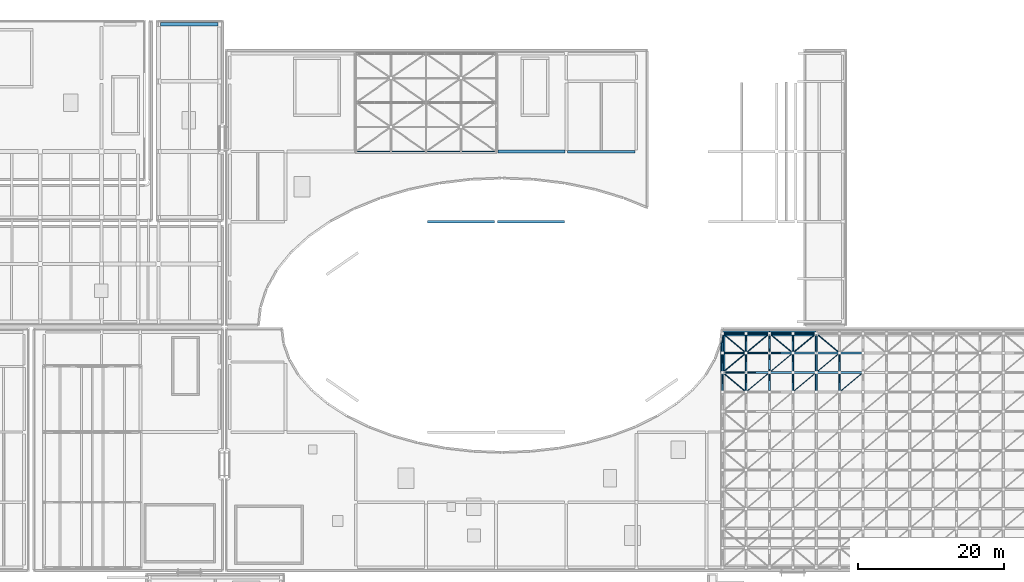
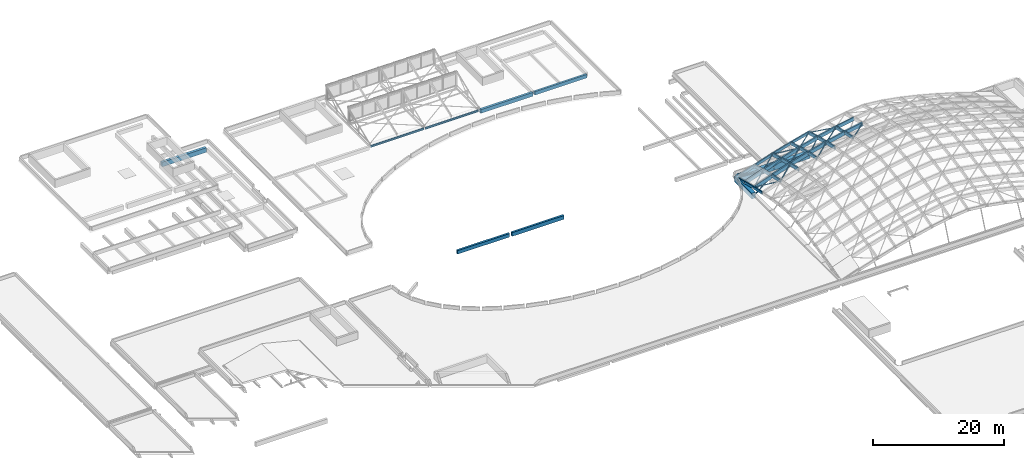
# One storey, part 13 of 40: 48 members, 10 beams.
"""IFC4 building model written with IfcOpenShell, lengths in metres."""

from ifc_helpers import new_model, si_unit, direction, frame, origin, origin_2d, place, context, subcontext, project, spatial, rectangle, hollow_circle, i_section, extrude, material, material_profile, profile_set, type_object, element, save


model = new_model("IFC4")

# Units and contexts
model_context = context("Model", 3, precision=1e-05, world=origin(), true_north=direction((0.0, 1.0)))
body_context = subcontext(model_context, "Body", "Model", "MODEL_VIEW")
ifc_project = project(units=[si_unit("LENGTHUNIT", "METRE"), si_unit("AREAUNIT", "SQUARE_METRE"), si_unit("VOLUMEUNIT", "CUBIC_METRE"), si_unit("PLANEANGLEUNIT", "RADIAN"), si_unit("MASSUNIT", "GRAM", prefix="KILO")], contexts=[model_context])

# Site, building, storey
site_placement = place(None, origin())
site = spatial("IfcSite", under=ifc_project, at=site_placement, CompositionType="ELEMENT")
building_placement = place(site_placement, origin())
building = spatial("IfcBuilding", under=site, at=building_placement, Name="Mzevani Central Library", CompositionType="ELEMENT")
storey_placement = place(building_placement, frame((0.0, 0.0, 26.699951171875)))
storey = spatial("IfcBuildingStorey", under=building, at=storey_placement, Name="RF", CompositionType="ELEMENT", Elevation=26.699951171875)

# Beams
ifc_material_1 = material(Name="Concrete C35/45", Category="concrete")
ifc_material_profile_1 = material_profile(ifc_material_1, rectangle(XDim=0.35009765625, YDim=0.64990234375, at=origin_2d()), Name="RC B350x650")
ifc_profile_set_1 = profile_set([ifc_material_profile_1], Name="Concrete C35/45")
beam_type_1 = type_object("IfcBeamType", Name="Beam RC 350x650", PredefinedType="BEAM", material=ifc_profile_set_1)
beam_1_placement = place(storey_placement, frame((73.77490234375, 90.39990234375, -21.885009765625), z_axis=(1.0, 0.0, 0.0), x_axis=(0.0, 1.0, 0.0)))
element("IfcBeam", 1, at=beam_1_placement, inside=storey, type_object=beam_type_1, Name="RF V3 Girder B-05 (456)", PredefinedType="BEAM", context=body_context, shape_type="SweptSolid", body=[
    extrude(rectangle(XDim=0.35009765625, YDim=0.64990234375, at=origin_2d()), origin(), (0.0, 0.0, 1.0), 9.22509765625),
])
beam_2_placement = place(storey_placement, frame((92.97509765625, 100.0, -4.784912109375), z_axis=(1.0, 0.0, 0.0), x_axis=(0.0, 1.0, 0.0)))
element("IfcBeam", 2, at=beam_2_placement, inside=storey, type_object=beam_type_1, Name="RF V3 Girder B-05 (768)", PredefinedType="BEAM", context=body_context, shape_type="SweptSolid", body=[
    extrude(rectangle(XDim=0.35009765625, YDim=0.64990234375, at=origin_2d()), origin(), (0.0, 0.0, 1.0), 9.224853515625),
])
ifc_material_profile_2 = material_profile(ifc_material_1, rectangle(XDim=0.35009765625, YDim=0.699951171875, at=origin_2d()), Name="RC B350x700")
ifc_profile_set_2 = profile_set([ifc_material_profile_2], Name="Concrete C35/45")
beam_type_2 = type_object("IfcBeamType", Name="Beam RC 350x700", PredefinedType="BEAM", material=ifc_profile_set_2)
beam_3_placement = place(storey_placement, frame((83.39990234375, 90.39990234375, -21.909912109375), z_axis=(1.0, 0.0, 0.0), x_axis=(0.0, 1.0, 0.0)))
element("IfcBeam", 3, at=beam_3_placement, inside=storey, type_object=beam_type_2, Name="RF V3 Girder B-06 (457)", PredefinedType="BEAM", context=body_context, shape_type="SweptSolid", body=[
    extrude(rectangle(XDim=0.35009765625, YDim=0.699951171875, at=origin_2d()), origin(), (0.0, 0.0, 1.0), 9.175048828125),
])
ifc_material_profile_3 = material_profile(ifc_material_1, rectangle(XDim=0.39990234375, YDim=0.699951171875, at=origin_2d()), Name="RC B400x700")
ifc_profile_set_3 = profile_set([ifc_material_profile_3], Name="Concrete C35/45")
beam_type_3 = type_object("IfcBeamType", Name="Beam RC 400x700", PredefinedType="BEAM", material=ifc_profile_set_3)
beam_4_placement = place(storey_placement, frame((83.425048828125, 100.0, -4.81005859375), z_axis=(1.0, 0.0, 0.0), x_axis=(0.0, 1.0, 0.0)))
element("IfcBeam", 4, at=beam_4_placement, inside=storey, type_object=beam_type_3, Name="RF V3 Girder B-08 (767)", PredefinedType="BEAM", context=body_context, shape_type="SweptSolid", body=[
    extrude(rectangle(XDim=0.39990234375, YDim=0.699951171875, at=origin_2d()), origin(), (0.0, 0.0, 1.0), 9.199951171875),
])

# Members
ifc_material_2 = material(Name="Steel S355J2", Category="steel")
ifc_material_profile_4 = material_profile(ifc_material_2, hollow_circle(Radius=0.096923828125, WallThickness=0.010009765625, at=origin_2d()), Name="CHS 193.7x10.0")
ifc_profile_set_4 = profile_set([ifc_material_profile_4], Name="Steel S355J2")
member_type_1 = type_object("IfcMemberType", Name="Gridshell Corner Raker CHS 193.7", PredefinedType="BRACE", material=ifc_profile_set_4)
member_1_placement = place(storey_placement, frame((120.60009765625, 74.949951171875, -12.949951171875), z_axis=(0.0, -0.657289394551, 0.753638276503), x_axis=(1.0, 0.0, 0.0)))
element("IfcMember", 5, at=member_1_placement, inside=storey, type_object=member_type_1, Name="RF Gridshell North Springing Raker 1", PredefinedType="BRACE", context=body_context, shape_type="SweptSolid", body=[
    extrude(hollow_circle(Radius=0.096923828125, WallThickness=0.010009765625, at=origin_2d()), origin(), (0.0, 0.0, 1.0), 3.828857421875),
])
member_2_placement = place(storey_placement, frame((127.0, 74.949951171875, -12.949951171875), z_axis=(0.0, -0.473264552531, 0.880920350156), x_axis=(1.0, 0.0, 0.0)))
element("IfcMember", 6, at=member_2_placement, inside=storey, type_object=member_type_1, Name="RF Gridshell North Springing Raker 2", PredefinedType="BRACE", context=body_context, shape_type="SweptSolid", body=[
    extrude(hollow_circle(Radius=0.096923828125, WallThickness=0.010009765625, at=origin_2d()), origin(), (0.0, 0.0, 1.0), 5.317626953125),
])
member_3_placement = place(storey_placement, frame((114.35009765625, 69.7666015625, -12.949951171875), z_axis=(0.77037029705, 0.0, 0.637596742011), x_axis=(0.0, 1.0, 0.0)))
element("IfcMember", 7, at=member_3_placement, inside=storey, type_object=member_type_1, Name="RF Gridshell West Springing Raker 5", PredefinedType="BRACE", context=body_context, shape_type="SweptSolid", body=[
    extrude(hollow_circle(Radius=0.096923828125, WallThickness=0.010009765625, at=origin_2d()), origin(), (0.0, 0.0, 1.0), 3.958984375),
])
ifc_material_profile_5 = material_profile(ifc_material_2, hollow_circle(Radius=0.05712890625, WallThickness=0.00634765625, at=origin_2d()), Name="CHS 114.3x6.3")
ifc_profile_set_5 = profile_set([ifc_material_profile_5], Name="Steel S355J2")
member_type_2 = type_object("IfcMemberType", Name="Gridshell Diagonal Brace CHS 114.3", PredefinedType="BRACE", material=ifc_profile_set_5)
member_4_placement = place(storey_placement, frame((117.39990234375, 67.10009765625, -9.799560546875), z_axis=(0.764121952186, 0.636690567728, 0.103647301723), x_axis=(-0.640138279177, 0.768259710991, 0.0)))
element("IfcMember", 8, at=member_4_placement, inside=storey, type_object=member_type_2, Name="RF Gridshell Steel Diagonal 2.10", PredefinedType="BRACE", context=body_context, shape_type="SweptSolid", body=[
    extrude(hollow_circle(Radius=0.05712890625, WallThickness=0.00634765625, at=origin_2d()), origin(), (0.0, 0.0, 1.0), 4.18798828125),
])
member_5_placement = place(storey_placement, frame((120.60009765625, 69.7666015625, -9.365478515625), z_axis=(0.76658338432, 0.638848730215, 0.064978571754), x_axis=(-0.640201694382, 0.768206867003, 0.0)))
element("IfcMember", 9, at=member_5_placement, inside=storey, type_object=member_type_2, Name="RF Gridshell Steel Diagonal 3.11", PredefinedType="BRACE", context=body_context, shape_type="SweptSolid", body=[
    extrude(hollow_circle(Radius=0.05712890625, WallThickness=0.00634765625, at=origin_2d()), origin(), (0.0, 0.0, 1.0), 4.17431640625),
])
member_6_placement = place(storey_placement, frame((123.800048828125, 67.10009765625, -7.808837890625), z_axis=(0.76694039125, 0.639087735808, 0.058045690709), x_axis=(-0.640167103973, 0.768235692344, 0.0)))
element("IfcMember", 10, at=member_6_placement, inside=storey, type_object=member_type_2, Name="RF Gridshell Steel Diagonal 4.10", PredefinedType="BRACE", context=body_context, shape_type="SweptSolid", body=[
    extrude(hollow_circle(Radius=0.05712890625, WallThickness=0.00634765625, at=origin_2d()), origin(), (0.0, 0.0, 1.0), 4.17236328125),
])
member_7_placement = place(storey_placement, frame((127.0, 69.7666015625, -7.566650390625), z_axis=(0.768152498931, 0.640156385582, 0.011897074638), x_axis=(-0.640201694382, 0.768206867003, 0.0)))
element("IfcMember", 11, at=member_7_placement, inside=storey, type_object=member_type_2, Name="RF Gridshell Steel Diagonal 5.11", PredefinedType="BRACE", context=body_context, shape_type="SweptSolid", body=[
    extrude(hollow_circle(Radius=0.05712890625, WallThickness=0.00634765625, at=origin_2d()), origin(), (0.0, 0.0, 1.0), 4.165771484375),
])
member_8_placement = place(storey_placement, frame((130.199951171875, 67.10009765625, -6.231689453125), z_axis=(0.768217005974, 0.640151532712, -0.006974732869), x_axis=(-0.640167103973, 0.768235692344, 0.0)))
element("IfcMember", 12, at=member_8_placement, inside=storey, type_object=member_type_2, Name="RF Gridshell Steel Diagonal 6.10", PredefinedType="BRACE", context=body_context, shape_type="SweptSolid", body=[
    extrude(hollow_circle(Radius=0.05712890625, WallThickness=0.00634765625, at=origin_2d()), origin(), (0.0, 0.0, 1.0), 4.16552734375),
])
ifc_material_3 = material(Name="Glulam GL28h", Category="wood")
ifc_material_profile_6 = material_profile(ifc_material_3, rectangle(XDim=0.199951171875, YDim=0.47998046875, at=origin_2d()), Name="GL28h 200x480")
ifc_profile_set_6 = profile_set([ifc_material_profile_6], Name="Glulam GL28h")
member_type_3 = type_object("IfcMemberType", Name="Gridshell Edge Rib GL28h 200x480", PredefinedType="RAFTER", material=ifc_profile_set_6)
member_9_placement = place(storey_placement, frame((114.199951171875, 75.10009765625, -12.919921875), z_axis=(0.943711214964, 0.0, 0.330770528843), x_axis=(0.0, 1.0, 0.0)))
element("IfcMember", 13, at=member_9_placement, inside=storey, type_object=member_type_3, Name="RF Gridshell Glulam Arch Rib X13.1", PredefinedType="RAFTER", context=body_context, shape_type="SweptSolid", body=[
    extrude(rectangle(XDim=0.199951171875, YDim=0.47998046875, at=origin_2d()), origin(), (0.0, 0.0, 1.0), 3.390869140625),
])
member_10_placement = place(storey_placement, frame((117.39990234375, 75.10009765625, -11.79833984375), z_axis=(0.950993540483, 0.0, 0.309210746837), x_axis=(0.0, 1.0, 0.0)))
element("IfcMember", 14, at=member_10_placement, inside=storey, type_object=member_type_3, Name="RF Gridshell Glulam Arch Rib X13.2", PredefinedType="RAFTER", context=body_context, shape_type="SweptSolid", body=[
    extrude(rectangle(XDim=0.199951171875, YDim=0.47998046875, at=origin_2d()), origin(), (0.0, 0.0, 1.0), 3.364990234375),
])
member_11_placement = place(storey_placement, frame((120.60009765625, 75.10009765625, -10.7578125), z_axis=(0.958629716231, 0.0, 0.284656050627), x_axis=(0.0, 1.0, 0.0)))
element("IfcMember", 15, at=member_11_placement, inside=storey, type_object=member_type_3, Name="RF Gridshell Glulam Arch Rib X13.3", PredefinedType="RAFTER", context=body_context, shape_type="SweptSolid", body=[
    extrude(rectangle(XDim=0.199951171875, YDim=0.47998046875, at=origin_2d()), origin(), (0.0, 0.0, 1.0), 3.338134765625),
])
member_12_placement = place(storey_placement, frame((123.800048828125, 75.10009765625, -9.8076171875), z_axis=(0.966604816788, 0.0, 0.256271590626), x_axis=(0.0, 1.0, 0.0)))
element("IfcMember", 16, at=member_12_placement, inside=storey, type_object=member_type_3, Name="RF Gridshell Glulam Arch Rib X13.4", PredefinedType="RAFTER", context=body_context, shape_type="SweptSolid", body=[
    extrude(rectangle(XDim=0.199951171875, YDim=0.47998046875, at=origin_2d()), origin(), (0.0, 0.0, 1.0), 3.310546875),
])
member_13_placement = place(storey_placement, frame((114.199951171875, 67.10009765625, -10.89111328125), z_axis=(0.0, 0.975099518813, -0.22176773528), x_axis=(-1.0, 0.0, 0.0)))
element("IfcMember", 17, at=member_13_placement, inside=storey, type_object=member_type_3, Name="RF Gridshell Glulam Transverse Rib Y1.10", PredefinedType="RAFTER", context=body_context, shape_type="SweptSolid", body=[
    extrude(rectangle(XDim=0.199951171875, YDim=0.47998046875, at=origin_2d()), origin(), (0.0, 0.0, 1.0), 2.734619140625),
])
member_14_placement = place(storey_placement, frame((114.199951171875, 69.7666015625, -11.49755859375), z_axis=(0.0, 0.969084447248, -0.246729272892), x_axis=(-1.0, 0.0, 0.0)))
element("IfcMember", 18, at=member_14_placement, inside=storey, type_object=member_type_3, Name="RF Gridshell Glulam Transverse Rib Y1.11", PredefinedType="RAFTER", context=body_context, shape_type="SweptSolid", body=[
    extrude(rectangle(XDim=0.199951171875, YDim=0.47998046875, at=origin_2d()), origin(), (0.0, 0.0, 1.0), 2.751708984375),
])
member_15_placement = place(storey_placement, frame((114.199951171875, 72.433349609375, -12.176513671875), z_axis=(0.0, 0.963271132564, -0.268530678262), x_axis=(-1.0, 0.0, 0.0)))
element("IfcMember", 19, at=member_15_placement, inside=storey, type_object=member_type_3, Name="RF Gridshell Glulam Transverse Rib Y1.12", PredefinedType="RAFTER", context=body_context, shape_type="SweptSolid", body=[
    extrude(rectangle(XDim=0.199951171875, YDim=0.47998046875, at=origin_2d()), origin(), (0.0, 0.0, 1.0), 2.768310546875),
])
ifc_material_profile_7 = material_profile(ifc_material_3, rectangle(XDim=0.239990234375, YDim=0.6201171875, at=origin_2d()), Name="GL28h 240x620")
ifc_profile_set_7 = profile_set([ifc_material_profile_7], Name="Glulam GL28h")
member_type_4 = type_object("IfcMemberType", Name="Gridshell Primary Rib GL28h 240x620", PredefinedType="RAFTER", material=ifc_profile_set_7)
member_16_placement = place(storey_placement, frame((114.199951171875, 72.433349609375, -12.24658203125), z_axis=(0.943711214964, 0.0, 0.330770528843), x_axis=(0.0, 1.0, 0.0)))
element("IfcMember", 20, at=member_16_placement, inside=storey, type_object=member_type_4, Name="RF Gridshell Glulam Arch Rib X12.1", PredefinedType="RAFTER", context=body_context, shape_type="SweptSolid", body=[
    extrude(rectangle(XDim=0.239990234375, YDim=0.6201171875, at=origin_2d()), origin(), (0.0, 0.0, 1.0), 3.390869140625),
])
member_17_placement = place(storey_placement, frame((117.39990234375, 72.433349609375, -11.125), z_axis=(0.950993540483, 0.0, 0.309210746837), x_axis=(0.0, 1.0, 0.0)))
element("IfcMember", 21, at=member_17_placement, inside=storey, type_object=member_type_4, Name="RF Gridshell Glulam Arch Rib X12.2", PredefinedType="RAFTER", context=body_context, shape_type="SweptSolid", body=[
    extrude(rectangle(XDim=0.239990234375, YDim=0.6201171875, at=origin_2d()), origin(), (0.0, 0.0, 1.0), 3.364990234375),
])
member_18_placement = place(storey_placement, frame((120.60009765625, 72.433349609375, -10.08447265625), z_axis=(0.958629716231, 0.0, 0.284656050627), x_axis=(0.0, 1.0, 0.0)))
element("IfcMember", 22, at=member_18_placement, inside=storey, type_object=member_type_4, Name="RF Gridshell Glulam Arch Rib X12.3", PredefinedType="RAFTER", context=body_context, shape_type="SweptSolid", body=[
    extrude(rectangle(XDim=0.239990234375, YDim=0.6201171875, at=origin_2d()), origin(), (0.0, 0.0, 1.0), 3.338134765625),
])
member_19_placement = place(storey_placement, frame((123.800048828125, 72.433349609375, -9.13427734375), z_axis=(0.966586546506, 0.0, 0.256340492535), x_axis=(0.0, 1.0, 0.0)))
element("IfcMember", 23, at=member_19_placement, inside=storey, type_object=member_type_4, Name="RF Gridshell Glulam Arch Rib X12.4", PredefinedType="RAFTER", context=body_context, shape_type="SweptSolid", body=[
    extrude(rectangle(XDim=0.239990234375, YDim=0.6201171875, at=origin_2d()), origin(), (0.0, 0.0, 1.0), 3.310546875),
])
member_20_placement = place(storey_placement, frame((127.0, 72.433349609375, -8.28564453125), z_axis=(0.975050212006, 0.0, 0.221984423028), x_axis=(0.0, 1.0, 0.0)))
element("IfcMember", 24, at=member_20_placement, inside=storey, type_object=member_type_4, Name="RF Gridshell Glulam Arch Rib X12.5", PredefinedType="RAFTER", context=body_context, shape_type="SweptSolid", body=[
    extrude(rectangle(XDim=0.239990234375, YDim=0.6201171875, at=origin_2d()), origin(), (0.0, 0.0, 1.0), 3.28173828125),
])
member_21_placement = place(storey_placement, frame((130.199951171875, 72.433349609375, -7.55712890625), z_axis=(0.984108094626, 0.0, 0.177570431357), x_axis=(0.0, 1.0, 0.0)))
element("IfcMember", 25, at=member_21_placement, inside=storey, type_object=member_type_4, Name="RF Gridshell Glulam Arch Rib X12.6", PredefinedType="RAFTER", context=body_context, shape_type="SweptSolid", body=[
    extrude(rectangle(XDim=0.239990234375, YDim=0.6201171875, at=origin_2d()), origin(), (0.0, 0.0, 1.0), 3.251708984375),
])
ifc_material_profile_8 = material_profile(ifc_material_3, rectangle(XDim=0.239990234375, YDim=0.679931640625, at=origin_2d()), Name="GL28h 240x680")
ifc_profile_set_8 = profile_set([ifc_material_profile_8], Name="Glulam GL28h")
member_type_5 = type_object("IfcMemberType", Name="Gridshell Primary Rib GL28h 240x680", PredefinedType="RAFTER", material=ifc_profile_set_8)
member_22_placement = place(storey_placement, frame((114.199951171875, 69.7666015625, -11.597412109375), z_axis=(0.943711214964, 0.0, 0.330770528843), x_axis=(0.0, 1.0, 0.0)))
element("IfcMember", 26, at=member_22_placement, inside=storey, type_object=member_type_5, Name="RF Gridshell Glulam Arch Rib X11.1", PredefinedType="RAFTER", context=body_context, shape_type="SweptSolid", body=[
    extrude(rectangle(XDim=0.239990234375, YDim=0.679931640625, at=origin_2d()), origin(), (0.0, 0.0, 1.0), 3.390869140625),
])
member_23_placement = place(storey_placement, frame((117.39990234375, 69.7666015625, -10.475830078125), z_axis=(0.951014872747, 0.0, 0.309145130666), x_axis=(0.0, 1.0, 0.0)))
element("IfcMember", 27, at=member_23_placement, inside=storey, type_object=member_type_5, Name="RF Gridshell Glulam Arch Rib X11.2", PredefinedType="RAFTER", context=body_context, shape_type="SweptSolid", body=[
    extrude(rectangle(XDim=0.239990234375, YDim=0.679931640625, at=origin_2d()), origin(), (0.0, 0.0, 1.0), 3.364990234375),
])
member_24_placement = place(storey_placement, frame((120.60009765625, 69.7666015625, -9.435546875), z_axis=(0.958609756204, 0.0, 0.284723260922), x_axis=(0.0, 1.0, 0.0)))
element("IfcMember", 28, at=member_24_placement, inside=storey, type_object=member_type_5, Name="RF Gridshell Glulam Arch Rib X11.3", PredefinedType="RAFTER", context=body_context, shape_type="SweptSolid", body=[
    extrude(rectangle(XDim=0.239990234375, YDim=0.679931640625, at=origin_2d()), origin(), (0.0, 0.0, 1.0), 3.338134765625),
])
member_25_placement = place(storey_placement, frame((123.800048828125, 69.7666015625, -8.485107421875), z_axis=(0.966604816788, 0.0, 0.256271590626), x_axis=(0.0, 1.0, 0.0)))
element("IfcMember", 29, at=member_25_placement, inside=storey, type_object=member_type_5, Name="RF Gridshell Glulam Arch Rib X11.4", PredefinedType="RAFTER", context=body_context, shape_type="SweptSolid", body=[
    extrude(rectangle(XDim=0.239990234375, YDim=0.679931640625, at=origin_2d()), origin(), (0.0, 0.0, 1.0), 3.310546875),
])
member_26_placement = place(storey_placement, frame((127.0, 69.7666015625, -7.63671875), z_axis=(0.975034107954, 0.0, 0.222055147039), x_axis=(0.0, 1.0, 0.0)))
element("IfcMember", 30, at=member_26_placement, inside=storey, type_object=member_type_5, Name="RF Gridshell Glulam Arch Rib X11.5", PredefinedType="RAFTER", context=body_context, shape_type="SweptSolid", body=[
    extrude(rectangle(XDim=0.239990234375, YDim=0.679931640625, at=origin_2d()), origin(), (0.0, 0.0, 1.0), 3.281982421875),
])
member_27_placement = place(storey_placement, frame((130.199951171875, 69.7666015625, -6.907958984375), z_axis=(0.984121212692, 0.0, 0.177497714718), x_axis=(0.0, 1.0, 0.0)))
element("IfcMember", 31, at=member_27_placement, inside=storey, type_object=member_type_5, Name="RF Gridshell Glulam Arch Rib X11.6", PredefinedType="RAFTER", context=body_context, shape_type="SweptSolid", body=[
    extrude(rectangle(XDim=0.239990234375, YDim=0.679931640625, at=origin_2d()), origin(), (0.0, 0.0, 1.0), 3.25146484375),
])

# Beams
ifc_material_4 = material(Name="Concrete C40/50", Category="concrete")
ifc_material_profile_9 = material_profile(ifc_material_4, rectangle(XDim=0.64990234375, YDim=1.050048828125, at=origin_2d()), Name="RC RB650x1050")
ifc_profile_set_9 = profile_set([ifc_material_profile_9], Name="Concrete C40/50")
beam_type_4 = type_object("IfcBeamType", Name="Gridshell Ring Beam RC 650x1050", PredefinedType="BEAM", material=ifc_profile_set_9)
beam_5_placement = place(storey_placement, frame((114.199951171875, 69.7666015625, -13.02490234375), z_axis=(0.0, 1.0, 0.0), x_axis=(-1.0, 0.0, 0.0)))
element("IfcBeam", 32, at=beam_5_placement, inside=storey, type_object=beam_type_4, Name="RF Gridshell Ring Beam West Bay 6", PredefinedType="BEAM", context=body_context, shape_type="SweptSolid", body=[
    extrude(rectangle(XDim=0.64990234375, YDim=1.050048828125, at=origin_2d()), origin(), (0.0, 0.0, 1.0), 5.33349609375),
])
ifc_material_profile_10 = material_profile(ifc_material_4, rectangle(XDim=0.699951171875, YDim=1.10009765625, at=origin_2d()), Name="RC RB700x1100")
ifc_profile_set_10 = profile_set([ifc_material_profile_10], Name="Concrete C40/50")
beam_type_5 = type_object("IfcBeamType", Name="Gridshell Ring Beam RC 700x1100", PredefinedType="BEAM", material=ifc_profile_set_10)
beam_6_placement = place(storey_placement, frame((114.199951171875, 75.10009765625, -13.050048828125), z_axis=(1.0, 0.0, 0.0), x_axis=(0.0, 1.0, 0.0)))
element("IfcBeam", 33, at=beam_6_placement, inside=storey, type_object=beam_type_5, Name="RF Gridshell Ring Beam North Bay 1", PredefinedType="BEAM", context=body_context, shape_type="SweptSolid", body=[
    extrude(rectangle(XDim=0.699951171875, YDim=1.10009765625, at=origin_2d()), origin(), (0.0, 0.0, 1.0), 6.400146484375),
])
beam_7_placement = place(storey_placement, frame((120.60009765625, 75.10009765625, -13.050048828125), z_axis=(1.0, 0.0, 0.0), x_axis=(0.0, 1.0, 0.0)))
element("IfcBeam", 34, at=beam_7_placement, inside=storey, type_object=beam_type_5, Name="RF Gridshell Ring Beam North Bay 2", PredefinedType="BEAM", context=body_context, shape_type="SweptSolid", body=[
    extrude(rectangle(XDim=0.699951171875, YDim=1.10009765625, at=origin_2d()), origin(), (0.0, 0.0, 1.0), 6.39990234375),
])

# Members
ifc_material_profile_11 = material_profile(ifc_material_2, hollow_circle(Radius=0.084228515625, WallThickness=0.010009765625, at=origin_2d()), Name="CHS 168.3x10.0")
ifc_profile_set_11 = profile_set([ifc_material_profile_11], Name="Steel S355J2")
member_type_6 = type_object("IfcMemberType", Name="Gridshell Springing Brace CHS 168.3", PredefinedType="BRACE", material=ifc_profile_set_11)
member_28_placement = place(storey_placement, frame((114.199951171875, 69.7666015625, -11.527587890625), z_axis=(0.709594903875, -0.591302017252, 0.383193158589), x_axis=(0.640167103973, 0.768235692344, 0.0)))
element("IfcMember", 35, at=member_28_placement, inside=storey, type_object=member_type_6, Name="RF Gridshell Steel Diagonal 1.10", PredefinedType="BRACE", context=body_context, shape_type="SweptSolid", body=[
    extrude(hollow_circle(Radius=0.084228515625, WallThickness=0.010009765625, at=origin_2d()), origin(), (0.0, 0.0, 1.0), 4.509521484375),
])
member_29_placement = place(storey_placement, frame((114.199951171875, 69.7666015625, -11.527587890625), z_axis=(0.763906211629, 0.636617650845, 0.105665824497), x_axis=(-0.640201694382, 0.768206867003, 0.0)))
element("IfcMember", 36, at=member_29_placement, inside=storey, type_object=member_type_6, Name="RF Gridshell Steel Diagonal 1.11", PredefinedType="BRACE", context=body_context, shape_type="SweptSolid", body=[
    extrude(hollow_circle(Radius=0.084228515625, WallThickness=0.010009765625, at=origin_2d()), origin(), (0.0, 0.0, 1.0), 4.18896484375),
])
member_30_placement = place(storey_placement, frame((114.199951171875, 75.10009765625, -12.949951171875), z_axis=(0.701140009494, -0.584310088022, 0.408637257384), x_axis=(0.640201694382, 0.768206867003, 0.0)))
element("IfcMember", 37, at=member_30_placement, inside=storey, type_object=member_type_6, Name="RF Gridshell Steel Diagonal 1.12", PredefinedType="BRACE", context=body_context, shape_type="SweptSolid", body=[
    extrude(hollow_circle(Radius=0.084228515625, WallThickness=0.010009765625, at=origin_2d()), origin(), (0.0, 0.0, 1.0), 4.56396484375),
])
member_31_placement = place(storey_placement, frame((117.39990234375, 72.433349609375, -11.0849609375), z_axis=(0.766284181276, 0.638550664638, 0.0711449381), x_axis=(-0.640172870191, 0.768230887345, 0.0)))
element("IfcMember", 38, at=member_31_placement, inside=storey, type_object=member_type_6, Name="RF Gridshell Steel Diagonal 2.12", PredefinedType="BRACE", context=body_context, shape_type="SweptSolid", body=[
    extrude(hollow_circle(Radius=0.084228515625, WallThickness=0.010009765625, at=origin_2d()), origin(), (0.0, 0.0, 1.0), 4.17626953125),
])
member_32_placement = place(storey_placement, frame((120.60009765625, 75.10009765625, -10.787841796875), z_axis=(0.71163593704, -0.593057094705, 0.376639848573), x_axis=(0.640201694382, 0.768206867003, 0.0)))
element("IfcMember", 39, at=member_32_placement, inside=storey, type_object=member_type_6, Name="RF Gridshell Steel Diagonal 3.12", PredefinedType="BRACE", context=body_context, shape_type="SweptSolid", body=[
    extrude(hollow_circle(Radius=0.084228515625, WallThickness=0.010009765625, at=origin_2d()), origin(), (0.0, 0.0, 1.0), 4.49658203125),
])
member_33_placement = place(storey_placement, frame((123.800048828125, 72.433349609375, -9.09423828125), z_axis=(0.767961879059, 0.639997528417, 0.025253038062), x_axis=(-0.640201694382, 0.768206867003, 0.0)))
element("IfcMember", 40, at=member_33_placement, inside=storey, type_object=member_type_6, Name="RF Gridshell Steel Diagonal 4.12", PredefinedType="BRACE", context=body_context, shape_type="SweptSolid", body=[
    extrude(hollow_circle(Radius=0.084228515625, WallThickness=0.010009765625, at=origin_2d()), origin(), (0.0, 0.0, 1.0), 4.166748046875),
])
member_34_placement = place(storey_placement, frame((127.0, 75.10009765625, -8.989013671875), z_axis=(0.724315875688, -0.603624193953, 0.333173145229), x_axis=(0.640201694382, 0.768206867003, 0.0)))
element("IfcMember", 41, at=member_34_placement, inside=storey, type_object=member_type_6, Name="RF Gridshell Steel Diagonal 5.12", PredefinedType="BRACE", context=body_context, shape_type="SweptSolid", body=[
    extrude(hollow_circle(Radius=0.084228515625, WallThickness=0.010009765625, at=origin_2d()), origin(), (0.0, 0.0, 1.0), 4.41796875),
])
ifc_material_profile_12 = material_profile(ifc_material_3, rectangle(XDim=0.219970703125, YDim=0.52001953125, at=origin_2d()), Name="GL28h 220x520")
ifc_profile_set_12 = profile_set([ifc_material_profile_12], Name="Glulam GL28h")
member_type_7 = type_object("IfcMemberType", Name="Gridshell Transverse Rib GL28h 220x520", PredefinedType="RAFTER", material=ifc_profile_set_12)
member_35_placement = place(storey_placement, frame((117.39990234375, 67.10009765625, -9.78955078125), z_axis=(0.0, 0.975118821578, -0.221682845081), x_axis=(-1.0, 0.0, 0.0)))
element("IfcMember", 42, at=member_35_placement, inside=storey, type_object=member_type_7, Name="RF Gridshell Glulam Transverse Rib Y2.10", PredefinedType="RAFTER", context=body_context, shape_type="SweptSolid", body=[
    extrude(rectangle(XDim=0.219970703125, YDim=0.52001953125, at=origin_2d()), origin(), (0.0, 0.0, 1.0), 2.734619140625),
])
member_36_placement = place(storey_placement, frame((117.39990234375, 69.7666015625, -10.395751953125), z_axis=(0.0, 0.969063231136, -0.246812588943), x_axis=(-1.0, 0.0, 0.0)))
element("IfcMember", 43, at=member_36_placement, inside=storey, type_object=member_type_7, Name="RF Gridshell Glulam Transverse Rib Y2.11", PredefinedType="RAFTER", context=body_context, shape_type="SweptSolid", body=[
    extrude(rectangle(XDim=0.219970703125, YDim=0.52001953125, at=origin_2d()), origin(), (0.0, 0.0, 1.0), 2.751953125),
])
member_37_placement = place(storey_placement, frame((117.39990234375, 72.433349609375, -11.074951171875), z_axis=(0.0, 0.963271132564, -0.268530678262), x_axis=(-1.0, 0.0, 0.0)))
element("IfcMember", 44, at=member_37_placement, inside=storey, type_object=member_type_7, Name="RF Gridshell Glulam Transverse Rib Y2.12", PredefinedType="RAFTER", context=body_context, shape_type="SweptSolid", body=[
    extrude(rectangle(XDim=0.219970703125, YDim=0.52001953125, at=origin_2d()), origin(), (0.0, 0.0, 1.0), 2.768310546875),
])
member_38_placement = place(storey_placement, frame((123.800048828125, 67.10009765625, -7.798828125), z_axis=(0.0, 0.975118821578, -0.221682845081), x_axis=(-1.0, 0.0, 0.0)))
element("IfcMember", 45, at=member_38_placement, inside=storey, type_object=member_type_7, Name="RF Gridshell Glulam Transverse Rib Y4.10", PredefinedType="RAFTER", context=body_context, shape_type="SweptSolid", body=[
    extrude(rectangle(XDim=0.219970703125, YDim=0.52001953125, at=origin_2d()), origin(), (0.0, 0.0, 1.0), 2.734619140625),
])
member_39_placement = place(storey_placement, frame((123.800048828125, 69.7666015625, -8.405029296875), z_axis=(0.0, 0.969063231136, -0.246812588943), x_axis=(-1.0, 0.0, 0.0)))
element("IfcMember", 46, at=member_39_placement, inside=storey, type_object=member_type_7, Name="RF Gridshell Glulam Transverse Rib Y4.11", PredefinedType="RAFTER", context=body_context, shape_type="SweptSolid", body=[
    extrude(rectangle(XDim=0.219970703125, YDim=0.52001953125, at=origin_2d()), origin(), (0.0, 0.0, 1.0), 2.751953125),
])
member_40_placement = place(storey_placement, frame((123.800048828125, 72.433349609375, -9.084228515625), z_axis=(0.0, 0.963271132564, -0.268530678262), x_axis=(-1.0, 0.0, 0.0)))
element("IfcMember", 47, at=member_40_placement, inside=storey, type_object=member_type_7, Name="RF Gridshell Glulam Transverse Rib Y4.12", PredefinedType="RAFTER", context=body_context, shape_type="SweptSolid", body=[
    extrude(rectangle(XDim=0.219970703125, YDim=0.52001953125, at=origin_2d()), origin(), (0.0, 0.0, 1.0), 2.768310546875),
])
member_41_placement = place(storey_placement, frame((130.199951171875, 67.10009765625, -6.2216796875), z_axis=(0.0, 0.975118821578, -0.221682845081), x_axis=(-1.0, 0.0, 0.0)))
element("IfcMember", 48, at=member_41_placement, inside=storey, type_object=member_type_7, Name="RF Gridshell Glulam Transverse Rib Y6.10", PredefinedType="RAFTER", context=body_context, shape_type="SweptSolid", body=[
    extrude(rectangle(XDim=0.219970703125, YDim=0.52001953125, at=origin_2d()), origin(), (0.0, 0.0, 1.0), 2.734619140625),
])
member_42_placement = place(storey_placement, frame((130.199951171875, 69.7666015625, -6.827880859375), z_axis=(0.0, 0.969063231136, -0.246812588943), x_axis=(-1.0, 0.0, 0.0)))
element("IfcMember", 49, at=member_42_placement, inside=storey, type_object=member_type_7, Name="RF Gridshell Glulam Transverse Rib Y6.11", PredefinedType="RAFTER", context=body_context, shape_type="SweptSolid", body=[
    extrude(rectangle(XDim=0.219970703125, YDim=0.52001953125, at=origin_2d()), origin(), (0.0, 0.0, 1.0), 2.751953125),
])
ifc_material_profile_13 = material_profile(ifc_material_3, rectangle(XDim=0.219970703125, YDim=0.580078125, at=origin_2d()), Name="GL28h 220x580")
ifc_profile_set_13 = profile_set([ifc_material_profile_13], Name="Glulam GL28h")
member_type_8 = type_object("IfcMemberType", Name="Gridshell Transverse Rib GL28h 220x580", PredefinedType="RAFTER", material=ifc_profile_set_13)
member_43_placement = place(storey_placement, frame((120.60009765625, 67.10009765625, -8.779296875), z_axis=(0.0, 0.975118821578, -0.221682845081), x_axis=(-1.0, 0.0, 0.0)))
element("IfcMember", 50, at=member_43_placement, inside=storey, type_object=member_type_8, Name="RF Gridshell Glulam Transverse Rib Y3.10", PredefinedType="RAFTER", context=body_context, shape_type="SweptSolid", body=[
    extrude(rectangle(XDim=0.219970703125, YDim=0.580078125, at=origin_2d()), origin(), (0.0, 0.0, 1.0), 2.734619140625),
])
member_44_placement = place(storey_placement, frame((120.60009765625, 69.7666015625, -9.385498046875), z_axis=(0.0, 0.969084447248, -0.246729272892), x_axis=(-1.0, 0.0, 0.0)))
element("IfcMember", 51, at=member_44_placement, inside=storey, type_object=member_type_8, Name="RF Gridshell Glulam Transverse Rib Y3.11", PredefinedType="RAFTER", context=body_context, shape_type="SweptSolid", body=[
    extrude(rectangle(XDim=0.219970703125, YDim=0.580078125, at=origin_2d()), origin(), (0.0, 0.0, 1.0), 2.751708984375),
])
member_45_placement = place(storey_placement, frame((120.60009765625, 72.433349609375, -10.064453125), z_axis=(0.0, 0.963271132564, -0.268530678262), x_axis=(-1.0, 0.0, 0.0)))
element("IfcMember", 52, at=member_45_placement, inside=storey, type_object=member_type_8, Name="RF Gridshell Glulam Transverse Rib Y3.12", PredefinedType="RAFTER", context=body_context, shape_type="SweptSolid", body=[
    extrude(rectangle(XDim=0.219970703125, YDim=0.580078125, at=origin_2d()), origin(), (0.0, 0.0, 1.0), 2.768310546875),
])
member_46_placement = place(storey_placement, frame((127.0, 67.10009765625, -6.98046875), z_axis=(0.0, 0.975118821578, -0.221682845081), x_axis=(-1.0, 0.0, 0.0)))
element("IfcMember", 53, at=member_46_placement, inside=storey, type_object=member_type_8, Name="RF Gridshell Glulam Transverse Rib Y5.10", PredefinedType="RAFTER", context=body_context, shape_type="SweptSolid", body=[
    extrude(rectangle(XDim=0.219970703125, YDim=0.580078125, at=origin_2d()), origin(), (0.0, 0.0, 1.0), 2.734619140625),
])
member_47_placement = place(storey_placement, frame((127.0, 69.7666015625, -7.586669921875), z_axis=(0.0, 0.969084447248, -0.246729272892), x_axis=(-1.0, 0.0, 0.0)))
element("IfcMember", 54, at=member_47_placement, inside=storey, type_object=member_type_8, Name="RF Gridshell Glulam Transverse Rib Y5.11", PredefinedType="RAFTER", context=body_context, shape_type="SweptSolid", body=[
    extrude(rectangle(XDim=0.219970703125, YDim=0.580078125, at=origin_2d()), origin(), (0.0, 0.0, 1.0), 2.751708984375),
])
member_48_placement = place(storey_placement, frame((127.0, 72.433349609375, -8.265625), z_axis=(0.0, 0.963271132564, -0.268530678262), x_axis=(-1.0, 0.0, 0.0)))
element("IfcMember", 55, at=member_48_placement, inside=storey, type_object=member_type_8, Name="RF Gridshell Glulam Transverse Rib Y5.12", PredefinedType="RAFTER", context=body_context, shape_type="SweptSolid", body=[
    extrude(rectangle(XDim=0.219970703125, YDim=0.580078125, at=origin_2d()), origin(), (0.0, 0.0, 1.0), 2.768310546875),
])

# Beams
ifc_material_profile_14 = material_profile(ifc_material_2, i_section(OverallWidth=0.169921875, OverallDepth=0.360107421875, WebThickness=0.008056640625, FlangeThickness=0.0126953125, FilletRadius=0.01806640625, at=origin_2d()), Name="IPE 360")
ifc_profile_set_14 = profile_set([ifc_material_profile_14], Name="Steel S355J2")
beam_type_6 = type_object("IfcBeamType", Name="Sawtooth Girder Steel IPE 360", PredefinedType="BEAM", material=ifc_profile_set_14)
for number, where, z_axis, x_axis, name in (
    (56, (64.0849609375, 100.0, -4.639892578125), (1.0, 0.0, 0.0), (0.0, 1.0, 0.0), "RF Sawtooth Valley Girder 1.64"),
    (57, (73.68505859375, 100.0, -4.639892578125), (1.0, 0.0, 0.0), (0.0, 1.0, 0.0), "RF Sawtooth Valley Girder 1.73"),
):
    element("IfcBeam", number, at=place(storey_placement, frame(where, z_axis=z_axis, x_axis=x_axis)), inside=storey, type_object=beam_type_6, Name=name, PredefinedType="BEAM", context=body_context, shape_type="SweptSolid", body=[
        extrude(i_section(OverallWidth=0.169921875, OverallDepth=0.360107421875, WebThickness=0.008056640625, FlangeThickness=0.0126953125, FilletRadius=0.01806640625, at=origin_2d()), origin(), (0.0, 0.0, 1.0), 9.429931640625),
    ])
ifc_material_profile_15 = material_profile(ifc_material_4, rectangle(XDim=0.449951171875, YDim=0.85009765625, at=origin_2d()), Name="RC B450x850")
ifc_profile_set_15 = profile_set([ifc_material_profile_15], Name="Concrete C40/50")
beam_type_7 = type_object("IfcBeamType", Name="Stack Girder RC 450x850", PredefinedType="BEAM", material=ifc_profile_set_15)
beam_8_placement = place(storey_placement, frame((37.27490234375, 117.39990234375, -9.0849609375), z_axis=(1.0, 0.0, 0.0), x_axis=(0.0, 1.0, 0.0)))
element("IfcBeam", 58, at=beam_8_placement, inside=storey, type_object=beam_type_7, Name="RF V2 Girder BG-04 (388)", PredefinedType="BEAM", context=body_context, shape_type="SweptSolid", body=[
    extrude(rectangle(XDim=0.449951171875, YDim=0.85009765625, at=origin_2d()), origin(), (0.0, 0.0, 1.0), 7.85009765625),
])

save(model, "model.ifc")
